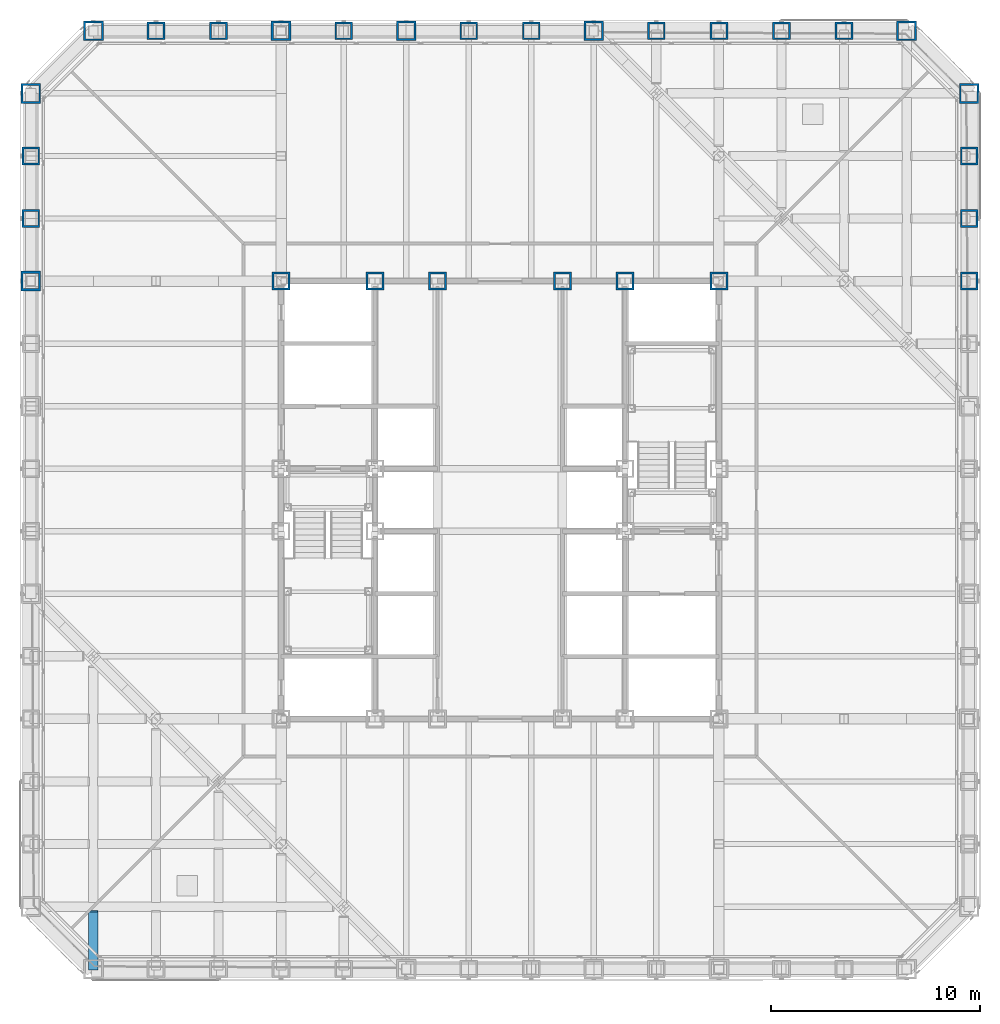
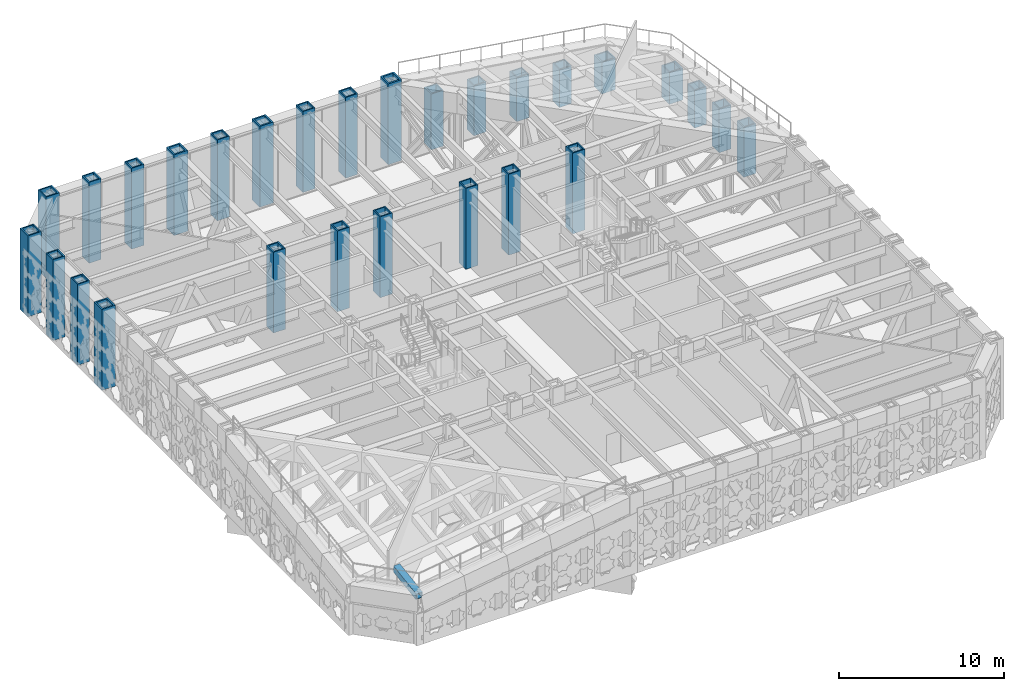
# One storey, part 3 of 31: 28 columns, 1 beam.
"""IFC4 building model written with IfcOpenShell, lengths in metres."""

from ifc_helpers import new_model, si_unit, direction, frame, origin, origin_2d, place, context, subcontext, project, spatial, hollow_rectangle, extrude, material, material_profile, profile_set, type_object, element, save


model = new_model("IFC4")

# Units and contexts
model_context = context("Model", 3, precision=1e-05, world=origin(), true_north=direction((0.0, 1.0)))
body_context = subcontext(model_context, "Body", "Model", "MODEL_VIEW")
ifc_project = project(units=[si_unit("LENGTHUNIT", "METRE"), si_unit("AREAUNIT", "SQUARE_METRE"), si_unit("VOLUMEUNIT", "CUBIC_METRE"), si_unit("PLANEANGLEUNIT", "RADIAN"), si_unit("MASSUNIT", "GRAM", prefix="KILO")], contexts=[model_context])

# Site, building, storey
site_placement = place(None, origin())
site = spatial("IfcSite", under=ifc_project, at=site_placement, CompositionType="ELEMENT")
building_placement = place(site_placement, origin())
building = spatial("IfcBuilding", under=site, at=building_placement, Name="Chuquiago Exchange Tower", CompositionType="ELEMENT")
storey_placement = place(building_placement, frame((0.0, 0.0, 96.300048828125)))
storey = spatial("IfcBuildingStorey", under=building, at=storey_placement, Name="L20", CompositionType="ELEMENT", Elevation=96.300048828125)

# Columns
ifc_material_1 = material(Name="Steel ASTM A572 Grade 50", Category="steel")
ifc_material_profile_1 = material_profile(ifc_material_1, hollow_rectangle(XDim=0.85009765625, YDim=0.85009765625, WallThickness=0.0849609375, at=origin_2d()), Name="BOX850X850X85")
ifc_profile_set_1 = profile_set([ifc_material_profile_1], Name="Steel ASTM A572 Grade 50")
column_type_1 = type_object("IfcColumnType", Name="C6 BOX850X850X85", PredefinedType="COLUMN", material=ifc_profile_set_1)
column_1_placement = place(storey_placement, frame((45.0, 33.0, 0.0), z_axis=(0.0, 0.0, 1.0), x_axis=(1.0, 0.0, 0.0)))
element("IfcColumn", 1, at=column_1_placement, inside=storey, type_object=column_type_1, Name="COL-L20-45_33", PredefinedType="COLUMN", context=body_context, shape_type="SweptSolid", body=[
    extrude(hollow_rectangle(XDim=0.85009765625, YDim=0.85009765625, WallThickness=0.0849609375, at=origin_2d()), origin(), (0.0, 0.0, 1.0), 3.6982421875),
])
column_2_placement = place(storey_placement, frame((45.0, 36.0, 0.0), z_axis=(0.0, 0.0, 1.0), x_axis=(1.0, 0.0, 0.0)))
element("IfcColumn", 2, at=column_2_placement, inside=storey, type_object=column_type_1, Name="COL-L20-45_36", PredefinedType="COLUMN", context=body_context, shape_type="SweptSolid", body=[
    extrude(hollow_rectangle(XDim=0.85009765625, YDim=0.85009765625, WallThickness=0.0849609375, at=origin_2d()), origin(), (0.0, 0.0, 1.0), 3.247314453125),
])
for number, where, z_axis, x_axis, name in (
    (3, (45.0, 39.0, 0.0), (0.0, 0.0, 1.0), (1.0, 0.0, 0.0), "COL-L20-45_39"),
    (4, (39.0, 45.0, 0.0), (0.0, 0.0, 1.0), (0.0, 1.0, 0.0), "COL-L20-39_45"),
):
    element("IfcColumn", number, at=place(storey_placement, frame(where, z_axis=z_axis, x_axis=x_axis)), inside=storey, type_object=column_type_1, Name=name, PredefinedType="COLUMN", context=body_context, shape_type="SweptSolid", body=[
        extrude(hollow_rectangle(XDim=0.85009765625, YDim=0.85009765625, WallThickness=0.0849609375, at=origin_2d()), origin(), (0.0, 0.0, 1.0), 2.79638671875),
    ])
column_3_placement = place(storey_placement, frame((36.0, 45.0, 0.0), z_axis=(0.0, 0.0, 1.0), x_axis=(0.0, 1.0, 0.0)))
element("IfcColumn", 5, at=column_3_placement, inside=storey, type_object=column_type_1, Name="COL-L20-36_45", PredefinedType="COLUMN", context=body_context, shape_type="SweptSolid", body=[
    extrude(hollow_rectangle(XDim=0.85009765625, YDim=0.85009765625, WallThickness=0.0849609375, at=origin_2d()), origin(), (0.0, 0.0, 1.0), 3.247314453125),
])
column_4_placement = place(storey_placement, frame((33.0, 45.0, 0.0), z_axis=(0.0, 0.0, 1.0), x_axis=(0.0, 1.0, 0.0)))
element("IfcColumn", 6, at=column_4_placement, inside=storey, type_object=column_type_1, Name="COL-L20-33_45", PredefinedType="COLUMN", context=body_context, shape_type="SweptSolid", body=[
    extrude(hollow_rectangle(XDim=0.85009765625, YDim=0.85009765625, WallThickness=0.0849609375, at=origin_2d()), origin(), (0.0, 0.0, 1.0), 3.6982421875),
])
column_5_placement = place(storey_placement, frame((30.0, 45.0, 0.0), z_axis=(0.0, 0.0, 1.0), x_axis=(0.0, 1.0, 0.0)))
element("IfcColumn", 7, at=column_5_placement, inside=storey, type_object=column_type_1, Name="COL-L20-30_45", PredefinedType="COLUMN", context=body_context, shape_type="SweptSolid", body=[
    extrude(hollow_rectangle(XDim=0.85009765625, YDim=0.85009765625, WallThickness=0.0849609375, at=origin_2d()), origin(), (0.0, 0.0, 1.0), 4.149169921875),
])
for number, where, z_axis, x_axis, name in (
    (8, (24.0, 45.0, 0.0), (0.0, 0.0, 1.0), (0.0, 1.0, 0.0), "COL-L20-24_45"),
    (9, (21.0, 45.0, 0.0), (0.0, 0.0, 1.0), (0.0, 1.0, 0.0), "COL-L20-21_45"),
    (10, (15.0, 45.0, 0.0), (0.0, 0.0, 1.0), (0.0, 1.0, 0.0), "COL-L20-15_45"),
    (11, (9.0, 45.0, 0.0), (0.0, 0.0, 1.0), (0.0, 1.0, 0.0), "COL-L20-9_45"),
    (12, (6.0, 45.0, 0.0), (0.0, 0.0, 1.0), (0.0, 1.0, 0.0), "COL-L20-6_45"),
    (13, (0.0, 39.0, 0.0), (0.0, 0.0, 1.0), (-1.0, 0.0, 0.0), "COL-L20-0_39"),
    (14, (0.0, 36.0, 0.0), (0.0, 0.0, 1.0), (-1.0, 0.0, 0.0), "COL-L20-0_36"),
):
    element("IfcColumn", number, at=place(storey_placement, frame(where, z_axis=z_axis, x_axis=x_axis)), inside=storey, type_object=column_type_1, Name=name, PredefinedType="COLUMN", context=body_context, shape_type="SweptSolid", body=[
        extrude(hollow_rectangle(XDim=0.85009765625, YDim=0.85009765625, WallThickness=0.0849609375, at=origin_2d()), origin(), (0.0, 0.0, 1.0), 6.0),
    ])
ifc_material_2 = material(Name="Steel ASTM A572 Grade 50", Category="steel")
ifc_material_profile_2 = material_profile(ifc_material_2, hollow_rectangle(XDim=0.85009765625, YDim=0.85009765625, WallThickness=0.0849609375, at=origin_2d()), Name="BOX850X850X85")
ifc_profile_set_2 = profile_set([ifc_material_profile_2], Name="Steel ASTM A572 Grade 50")
column_type_2 = type_object("IfcColumnType", Name="CC2 BOX850X850X85", PredefinedType="COLUMN", material=ifc_profile_set_2)
for number, where, z_axis, x_axis, name in (
    (15, (16.5, 33.0, 0.0), (0.0, 0.0, 1.0), (1.0, 0.0, 0.0), "CCOL-L20-16.5_33"),
    (16, (19.5, 33.0, 0.0), (0.0, 0.0, 1.0), (1.0, 0.0, 0.0), "CCOL-L20-19.5_33"),
    (17, (25.5, 33.0, 0.0), (0.0, 0.0, 1.0), (1.0, 0.0, 0.0), "CCOL-L20-25.5_33"),
    (18, (28.5, 33.0, 0.0), (0.0, 0.0, 1.0), (1.0, 0.0, 0.0), "CCOL-L20-28.5_33"),
):
    element("IfcColumn", number, at=place(storey_placement, frame(where, z_axis=z_axis, x_axis=x_axis)), inside=storey, type_object=column_type_2, Name=name, PredefinedType="COLUMN", context=body_context, shape_type="SweptSolid", body=[
        extrude(hollow_rectangle(XDim=0.85009765625, YDim=0.85009765625, WallThickness=0.0849609375, at=origin_2d()), origin(), (0.0, 0.0, 1.0), 6.0),
    ])
ifc_material_3 = material(Name="Steel ASTM A572 Grade 50", Category="steel")
ifc_material_profile_3 = material_profile(ifc_material_3, hollow_rectangle(XDim=0.85009765625, YDim=0.85009765625, WallThickness=0.0849609375, at=origin_2d()), Name="BOX850X850X85")
ifc_profile_set_3 = profile_set([ifc_material_profile_3], Name="Steel ASTM A572 Grade 50")
column_type_3 = type_object("IfcColumnType", Name="CC6 BOX850X850X85", PredefinedType="COLUMN", material=ifc_profile_set_3)
for number, where, z_axis, x_axis, name in (
    (19, (12.0, 33.0, 0.0), (0.0, 0.0, 1.0), (1.0, 0.0, 0.0), "CCOL-L20-12_33"),
    (20, (33.0, 33.0, 0.0), (0.0, 0.0, 1.0), (1.0, 0.0, 0.0), "CCOL-L20-33_33"),
):
    element("IfcColumn", number, at=place(storey_placement, frame(where, z_axis=z_axis, x_axis=x_axis)), inside=storey, type_object=column_type_3, Name=name, PredefinedType="COLUMN", context=body_context, shape_type="SweptSolid", body=[
        extrude(hollow_rectangle(XDim=0.85009765625, YDim=0.85009765625, WallThickness=0.0849609375, at=origin_2d()), origin(), (0.0, 0.0, 1.0), 6.0),
    ])
ifc_material_4 = material(Name="Steel ASTM A572 Grade 50", Category="steel")
ifc_material_profile_4 = material_profile(ifc_material_4, hollow_rectangle(XDim=0.949951171875, YDim=0.949951171875, WallThickness=0.094970703125, at=origin_2d()), Name="BOX950X950X95")
ifc_profile_set_4 = profile_set([ifc_material_profile_4], Name="Steel ASTM A572 Grade 50")
column_type_4 = type_object("IfcColumnType", Name="CN1 BOX950X950X95", PredefinedType="COLUMN", material=ifc_profile_set_4)
for number, where, z_axis, x_axis, name in (
    (21, (45.0, 42.0, 0.0), (0.0, 0.0, 1.0), (1.0, 0.0, 0.0), "COL-L20-45_42"),
    (22, (42.0, 45.0, 0.0), (0.0, 0.0, 1.0), (0.0, 1.0, 0.0), "COL-L20-42_45"),
):
    element("IfcColumn", number, at=place(storey_placement, frame(where, z_axis=z_axis, x_axis=x_axis)), inside=storey, type_object=column_type_4, Name=name, PredefinedType="COLUMN", context=body_context, shape_type="SweptSolid", body=[
        extrude(hollow_rectangle(XDim=0.949951171875, YDim=0.949951171875, WallThickness=0.094970703125, at=origin_2d()), origin(), (0.0, 0.0, 1.0), 2.345458984375),
    ])
for number, where, z_axis, x_axis, name in (
    (23, (3.0, 45.0, 0.0), (0.0, 0.0, 1.0), (0.0, 1.0, 0.0), "COL-L20-3_45"),
    (24, (0.0, 42.0, 0.0), (0.0, 0.0, 1.0), (-1.0, 0.0, 0.0), "COL-L20-0_42"),
):
    element("IfcColumn", number, at=place(storey_placement, frame(where, z_axis=z_axis, x_axis=x_axis)), inside=storey, type_object=column_type_4, Name=name, PredefinedType="COLUMN", context=body_context, shape_type="SweptSolid", body=[
        extrude(hollow_rectangle(XDim=0.949951171875, YDim=0.949951171875, WallThickness=0.094970703125, at=origin_2d()), origin(), (0.0, 0.0, 1.0), 6.0),
    ])
ifc_material_5 = material(Name="Steel ASTM A572 Grade 42", Category="steel")
ifc_material_profile_5 = material_profile(ifc_material_5, hollow_rectangle(XDim=0.949951171875, YDim=0.949951171875, WallThickness=0.110107421875, at=origin_2d()), Name="BOX950X950X110")
ifc_profile_set_5 = profile_set([ifc_material_profile_5], Name="Steel ASTM A572 Grade 42")
column_type_5 = type_object("IfcColumnType", Name="CT1 BOX950X950X110", PredefinedType="COLUMN", material=ifc_profile_set_5)
for number, where, z_axis, x_axis, name in (
    (25, (27.0, 45.0, 0.0), (0.0, 0.0, 1.0), (0.0, 1.0, 0.0), "COL-L20-27_45"),
    (26, (18.0, 45.0, 0.0), (0.0, 0.0, 1.0), (0.0, 1.0, 0.0), "COL-L20-18_45"),
    (27, (12.0, 45.0, 0.0), (0.0, 0.0, 1.0), (0.0, 1.0, 0.0), "COL-L20-12_45"),
    (28, (0.0, 33.0, 0.0), (0.0, 0.0, 1.0), (-1.0, 0.0, 0.0), "COL-L20-0_33"),
):
    element("IfcColumn", number, at=place(storey_placement, frame(where, z_axis=z_axis, x_axis=x_axis)), inside=storey, type_object=column_type_5, Name=name, PredefinedType="COLUMN", context=body_context, shape_type="SweptSolid", body=[
        extrude(hollow_rectangle(XDim=0.949951171875, YDim=0.949951171875, WallThickness=0.110107421875, at=origin_2d()), origin(), (0.0, 0.0, 1.0), 6.0),
    ])

# Beam
ifc_material_6 = material(Name="Steel ASTM A572 Grade 50", Category="steel")
ifc_material_profile_6 = material_profile(ifc_material_6, hollow_rectangle(XDim=0.449951171875, YDim=0.449951171875, WallThickness=0.034912109375, at=origin_2d()), Name="BOX450X450X35")
ifc_profile_set_6 = profile_set([ifc_material_profile_6], Name="Steel ASTM A572 Grade 50")
beam_type = type_object("IfcBeamType", Name="FR1 BOX450X450X35", PredefinedType="BEAM", material=ifc_profile_set_6)
beam_placement = place(storey_placement, frame((3.0, 2.77490234375, 3.701171875), z_axis=(0.0, -0.988896750706, -0.148604227539), x_axis=(1.0, 0.0, 0.0)))
element("IfcBeam", 29, at=beam_placement, inside=storey, type_object=beam_type, Name="Facet roof rafter L20", PredefinedType="BEAM", context=body_context, shape_type="SweptSolid", body=[
    extrude(hollow_rectangle(XDim=0.449951171875, YDim=0.449951171875, WallThickness=0.034912109375, at=origin_2d()), origin(), (0.0, 0.0, 1.0), 2.80615234375),
])

save(model, "model.ifc")
